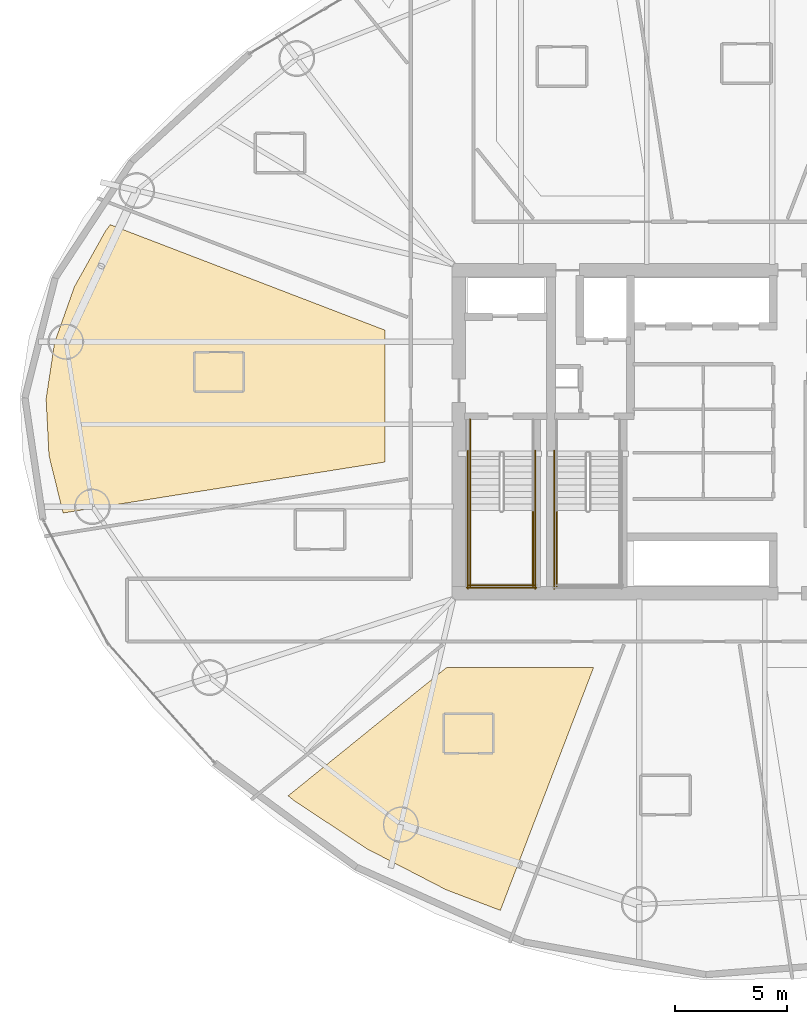
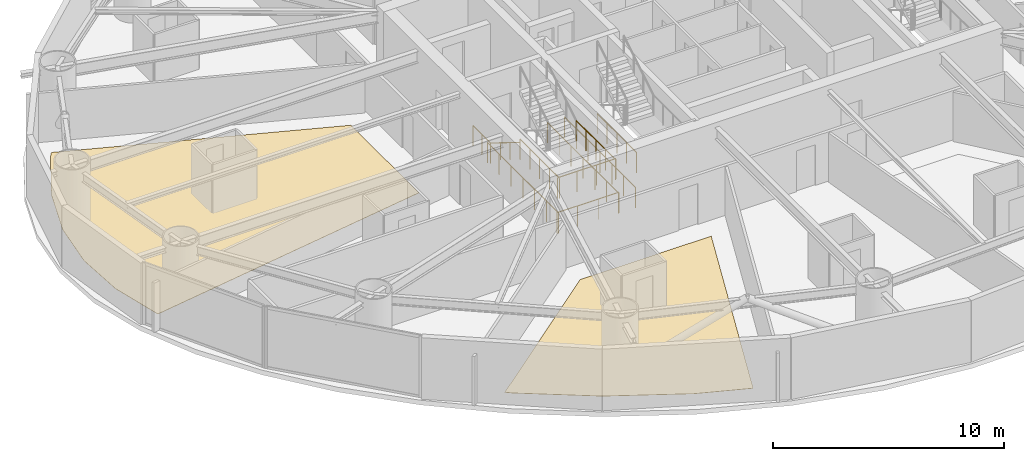
# One storey, part 22 of 25: 10 railings, 2 coverings.
"""IFC4 building model written with IfcOpenShell, lengths in metres."""

from ifc_helpers import new_model, si_unit, direction, frame, origin, origin_2d, place, context, subcontext, project, spatial, polyline, circle, outline, extrude, material, layer, layer_set, type_object, element, save


model = new_model("IFC4")

# Units and contexts
model_context = context("Model", 3, precision=1e-05, world=origin(), true_north=direction((0.0, 1.0)))
body_context = subcontext(model_context, "Body", "Model", "MODEL_VIEW")
ifc_project = project(units=[si_unit("LENGTHUNIT", "METRE"), si_unit("AREAUNIT", "SQUARE_METRE"), si_unit("VOLUMEUNIT", "CUBIC_METRE"), si_unit("PLANEANGLEUNIT", "RADIAN"), si_unit("MASSUNIT", "GRAM", prefix="KILO")], contexts=[model_context])

# Site, building, storey
site_placement = place(None, origin())
site = spatial("IfcSite", under=ifc_project, at=site_placement, CompositionType="ELEMENT")
building_placement = place(site_placement, origin())
building = spatial("IfcBuilding", under=site, at=building_placement, Name="Bramvorn Convention Spire", CompositionType="ELEMENT")
storey_placement = place(building_placement, frame((0.0, 0.0, 48.39990234375)))
storey = spatial("IfcBuildingStorey", under=building, at=storey_placement, Name="L09", CompositionType="ELEMENT", Elevation=48.39990234375)

# Coverings
ifc_material_1 = material(Name="Solution-Dyed Wool Broadloom Hospitality Carpet", Category="textile")
ifc_layer = layer(ifc_material_1, 0.014892578125)
ifc_layer_set = layer_set([ifc_layer], Name="Solution-Dyed Wool Broadloom Hospitality Carpet - FLR-CARPET-15")
covering_type = type_object("IfcCoveringType", Name="FLR-CARPET-15", PredefinedType="FLOORING", material=ifc_layer_set)
covering_1_placement = place(storey_placement, origin())
element("IfcCovering", 1, at=covering_1_placement, inside=storey, type_object=covering_type, Name="Hotel Suite 0906 wool broadloom carpet", PredefinedType="FLOORING", context=body_context, shape_type="SweptSolid", body=[
    extrude(outline(polyline([(9.357666015625, 22.374755859375), (23.699951171875, 24.646240234375), (23.699951171875, 30.525146484375), (11.459716796875, 35.223876953125), (11.251220703125, 34.9501953125), (9.861572265625, 32.4580078125), (8.977783203125, 29.963134765625), (8.600830078125, 27.46337890625), (8.727783203125, 24.93896484375), (9.357666015625, 22.374755859375)])), origin(), (0.0, 0.0, 1.0), 0.01513671875),
])
covering_2_placement = place(storey_placement, origin())
element("IfcCovering", 2, at=covering_2_placement, inside=storey, type_object=covering_type, Name="Hotel Suite 0908 wool broadloom carpet", PredefinedType="FLOORING", context=body_context, shape_type="SweptSolid", body=[
    extrude(outline(polyline([(26.427001953125, 5.58349609375), (28.845703125, 4.663818359375), (33.00537109375, 15.5), (26.463623046875, 15.5), (19.3896484375, 9.771484375), (19.6572265625, 9.55224609375), (22.90380859375, 7.40576171875), (26.427001953125, 5.58349609375)])), origin(), (0.0, 0.0, 1.0), 0.01513671875),
])

# Railings
ifc_material_2 = material(Name="Painted Steel Balustrade & Guardrail", Category="steel")
railing_type_1 = type_object("IfcRailingType", Name="RL-STAIR-GUARD-1100", PredefinedType="GUARDRAIL", material=ifc_material_2)
for number, where, name in (
    (3, (27.5, 22.485107421875, 1.75), "L09 ST1 stair guard 3"),
    (4, (30.300048828125, 22.485107421875, 1.75), "L09 ST1 stair guard 4"),
):
    element("IfcRailing", number, at=place(storey_placement, frame(where)), inside=storey, type_object=railing_type_1, Name=name, PredefinedType="GUARDRAIL", context=body_context, shape_type="SweptSolid", body=[
        extrude(circle(Radius=0.02392578125, at=origin_2d()), frame((0.0, 0.0, 1.076171875), z_axis=(0.0, -1.0, 0.0), x_axis=(1.0, 0.0, 0.0)), (0.0, 0.0, 1.0), 3.385009765625),
        extrude(circle(Radius=0.02099609375, at=origin_2d()), origin(), (0.0, 0.0, 1.0), 1.052001953125),
        extrude(circle(Radius=0.02099609375, at=origin_2d()), frame((0.0, -0.84619140625, 0.0)), (0.0, 0.0, 1.0), 1.052001953125),
        extrude(circle(Radius=0.02099609375, at=origin_2d()), frame((0.0, -1.6923828125, 0.0)), (0.0, 0.0, 1.0), 1.052001953125),
        extrude(circle(Radius=0.02099609375, at=origin_2d()), frame((0.0, -2.538818359375, 0.0)), (0.0, 0.0, 1.0), 1.052001953125),
        extrude(circle(Radius=0.02099609375, at=origin_2d()), frame((0.0, -3.385009765625, 0.0)), (0.0, 0.0, 1.0), 1.052001953125),
    ])
railing_1_placement = place(storey_placement, frame((27.449951171875, 19.14990234375, 1.75)))
element("IfcRailing", 5, at=railing_1_placement, inside=storey, type_object=railing_type_1, Name="L09 ST1 stair guard 5", PredefinedType="GUARDRAIL", context=body_context, shape_type="SweptSolid", body=[
    extrude(circle(Radius=0.02392578125, at=origin_2d()), frame((0.0, 0.0, 1.076171875), z_axis=(1.0, 0.0, 0.0), x_axis=(0.0, 1.0, 0.0)), (0.0, 0.0, 1.0), 2.900146484375),
    extrude(circle(Radius=0.02099609375, at=origin_2d()), origin(), (0.0, 0.0, 1.0), 1.052001953125),
    extrude(circle(Radius=0.02099609375, at=origin_2d()), frame((0.966796875, 0.0, 0.0)), (0.0, 0.0, 1.0), 1.052001953125),
    extrude(circle(Radius=0.02099609375, at=origin_2d()), frame((1.933349609375, 0.0, 0.0)), (0.0, 0.0, 1.0), 1.052001953125),
    extrude(circle(Radius=0.02099609375, at=origin_2d()), frame((2.900146484375, 0.0, 0.0)), (0.0, 0.0, 1.0), 1.052001953125),
])
railing_2_placement = place(storey_placement, frame((27.5, 26.550048828125, 0.0)))
element("IfcRailing", 6, at=railing_2_placement, inside=storey, type_object=railing_type_1, Name="L09 ST1 stair guard 8", PredefinedType="GUARDRAIL", context=body_context, shape_type="SweptSolid", body=[
    extrude(circle(Radius=0.02392578125, at=origin_2d()), frame((0.0, 0.0, 1.076171875), z_axis=(0.0, -1.0, 0.0), x_axis=(1.0, 0.0, 0.0)), (0.0, 0.0, 1.0), 1.5),
    extrude(circle(Radius=0.02099609375, at=origin_2d()), origin(), (0.0, 0.0, 1.0), 1.052001953125),
    extrude(circle(Radius=0.02099609375, at=origin_2d()), frame((0.0, -0.75, 0.0)), (0.0, 0.0, 1.0), 1.052001953125),
    extrude(circle(Radius=0.02099609375, at=origin_2d()), frame((0.0, -1.5, 0.0)), (0.0, 0.0, 1.0), 1.052001953125),
])
for number, where, name in (
    (7, (27.39990234375, 25.14990234375, 0.0), "L09 ST1 stair guard 10"),
    (8, (30.39990234375, 25.14990234375, 0.0), "L09 ST1 stair guard 11"),
):
    element("IfcRailing", number, at=place(storey_placement, frame(where)), inside=storey, type_object=railing_type_1, Name=name, PredefinedType="GUARDRAIL", context=body_context, shape_type="SweptSolid", body=[
        extrude(circle(Radius=0.02392578125, at=origin_2d()), frame((0.0, 0.0, 1.076171875), z_axis=(0.0, -1.0, 0.0), x_axis=(1.0, 0.0, 0.0)), (0.0, 0.0, 1.0), 6.14990234375),
        extrude(circle(Radius=0.02099609375, at=origin_2d()), origin(), (0.0, 0.0, 1.0), 1.052001953125),
        extrude(circle(Radius=0.02099609375, at=origin_2d()), frame((0.0, -1.02490234375, 0.0)), (0.0, 0.0, 1.0), 1.052001953125),
        extrude(circle(Radius=0.02099609375, at=origin_2d()), frame((0.0, -2.050048828125, 0.0)), (0.0, 0.0, 1.0), 1.052001953125),
        extrude(circle(Radius=0.02099609375, at=origin_2d()), frame((0.0, -3.074951171875, 0.0)), (0.0, 0.0, 1.0), 1.052001953125),
        extrude(circle(Radius=0.02099609375, at=origin_2d()), frame((0.0, -4.099853515625, 0.0)), (0.0, 0.0, 1.0), 1.052001953125),
        extrude(circle(Radius=0.02099609375, at=origin_2d()), frame((0.0, -5.125, 0.0)), (0.0, 0.0, 1.0), 1.052001953125),
        extrude(circle(Radius=0.02099609375, at=origin_2d()), frame((0.0, -6.14990234375, 0.0)), (0.0, 0.0, 1.0), 1.052001953125),
    ])
railing_3_placement = place(storey_placement, frame((27.35009765625, 19.050048828125, 0.0)))
element("IfcRailing", 9, at=railing_3_placement, inside=storey, type_object=railing_type_1, Name="L09 ST1 stair guard 12", PredefinedType="GUARDRAIL", context=body_context, shape_type="SweptSolid", body=[
    extrude(circle(Radius=0.02392578125, at=origin_2d()), frame((0.0, 0.0, 1.076171875), z_axis=(1.0, 0.0, 0.0), x_axis=(0.0, 1.0, 0.0)), (0.0, 0.0, 1.0), 3.099853515625),
    extrude(circle(Radius=0.02099609375, at=origin_2d()), origin(), (0.0, 0.0, 1.0), 1.052001953125),
    extrude(circle(Radius=0.02099609375, at=origin_2d()), frame((1.033203125, 0.0, 0.0)), (0.0, 0.0, 1.0), 1.052001953125),
    extrude(circle(Radius=0.02099609375, at=origin_2d()), frame((2.066650390625, 0.0, 0.0)), (0.0, 0.0, 1.0), 1.052001953125),
    extrude(circle(Radius=0.02099609375, at=origin_2d()), frame((3.099853515625, 0.0, 0.0)), (0.0, 0.0, 1.0), 1.052001953125),
])
railing_4_placement = place(storey_placement, frame((31.35009765625, 22.485107421875, 1.75)))
element("IfcRailing", 10, at=railing_4_placement, inside=storey, type_object=railing_type_1, Name="L09 ST3 stair guard 3", PredefinedType="GUARDRAIL", context=body_context, shape_type="SweptSolid", body=[
    extrude(circle(Radius=0.02392578125, at=origin_2d()), frame((0.0, 0.0, 1.076171875), z_axis=(0.0, -1.0, 0.0), x_axis=(1.0, 0.0, 0.0)), (0.0, 0.0, 1.0), 3.385009765625),
    extrude(circle(Radius=0.02099609375, at=origin_2d()), origin(), (0.0, 0.0, 1.0), 1.052001953125),
    extrude(circle(Radius=0.02099609375, at=origin_2d()), frame((0.0, -0.84619140625, 0.0)), (0.0, 0.0, 1.0), 1.052001953125),
    extrude(circle(Radius=0.02099609375, at=origin_2d()), frame((0.0, -1.6923828125, 0.0)), (0.0, 0.0, 1.0), 1.052001953125),
    extrude(circle(Radius=0.02099609375, at=origin_2d()), frame((0.0, -2.538818359375, 0.0)), (0.0, 0.0, 1.0), 1.052001953125),
    extrude(circle(Radius=0.02099609375, at=origin_2d()), frame((0.0, -3.385009765625, 0.0)), (0.0, 0.0, 1.0), 1.052001953125),
])
railing_5_placement = place(storey_placement, frame((31.25, 25.14990234375, 0.0)))
element("IfcRailing", 11, at=railing_5_placement, inside=storey, type_object=railing_type_1, Name="L09 ST3 stair guard 10", PredefinedType="GUARDRAIL", context=body_context, shape_type="SweptSolid", body=[
    extrude(circle(Radius=0.02392578125, at=origin_2d()), frame((0.0, 0.0, 1.076171875), z_axis=(0.0, -1.0, 0.0), x_axis=(1.0, 0.0, 0.0)), (0.0, 0.0, 1.0), 6.14990234375),
    extrude(circle(Radius=0.02099609375, at=origin_2d()), origin(), (0.0, 0.0, 1.0), 1.052001953125),
    extrude(circle(Radius=0.02099609375, at=origin_2d()), frame((0.0, -1.02490234375, 0.0)), (0.0, 0.0, 1.0), 1.052001953125),
    extrude(circle(Radius=0.02099609375, at=origin_2d()), frame((0.0, -2.050048828125, 0.0)), (0.0, 0.0, 1.0), 1.052001953125),
    extrude(circle(Radius=0.02099609375, at=origin_2d()), frame((0.0, -3.074951171875, 0.0)), (0.0, 0.0, 1.0), 1.052001953125),
    extrude(circle(Radius=0.02099609375, at=origin_2d()), frame((0.0, -4.099853515625, 0.0)), (0.0, 0.0, 1.0), 1.052001953125),
    extrude(circle(Radius=0.02099609375, at=origin_2d()), frame((0.0, -5.125, 0.0)), (0.0, 0.0, 1.0), 1.052001953125),
    extrude(circle(Radius=0.02099609375, at=origin_2d()), frame((0.0, -6.14990234375, 0.0)), (0.0, 0.0, 1.0), 1.052001953125),
])
ifc_material_3 = material(Name="Brushed Bronze Tubular Handrail", Category="aluminium")
railing_type_2 = type_object("IfcRailingType", Name="RL-STAIR-HR-920", PredefinedType="HANDRAIL", material=ifc_material_3)
railing_6_placement = place(storey_placement, frame((27.5, 25.050048828125, 0.175048828125)))
element("IfcRailing", 12, at=railing_6_placement, inside=storey, type_object=railing_type_2, Name="L09 ST1 stair handrail 1", PredefinedType="HANDRAIL", context=body_context, shape_type="SweptSolid", body=[
    extrude(circle(Radius=0.02392578125, at=origin_2d()), frame((0.0, 0.0, 0.89599609375), z_axis=(0.0, -0.852173129349, 0.523259933127), x_axis=(1.0, 0.0, 0.0)), (0.0, 0.0, 1.0), 3.009765625),
    extrude(circle(Radius=0.02099609375, at=origin_2d()), origin(), (0.0, 0.0, 1.0), 0.871826171875),
    extrude(circle(Radius=0.02099609375, at=origin_2d()), frame((0.0, -0.85498046875, 0.52490234375)), (0.0, 0.0, 1.0), 0.871826171875),
    extrude(circle(Radius=0.02099609375, at=origin_2d()), frame((0.0, -1.7099609375, 1.050048828125)), (0.0, 0.0, 1.0), 0.871826171875),
    extrude(circle(Radius=0.02099609375, at=origin_2d()), frame((0.0, -2.56494140625, 1.574951171875)), (0.0, 0.0, 1.0), 0.871826171875),
])

save(model, "model.ifc")
